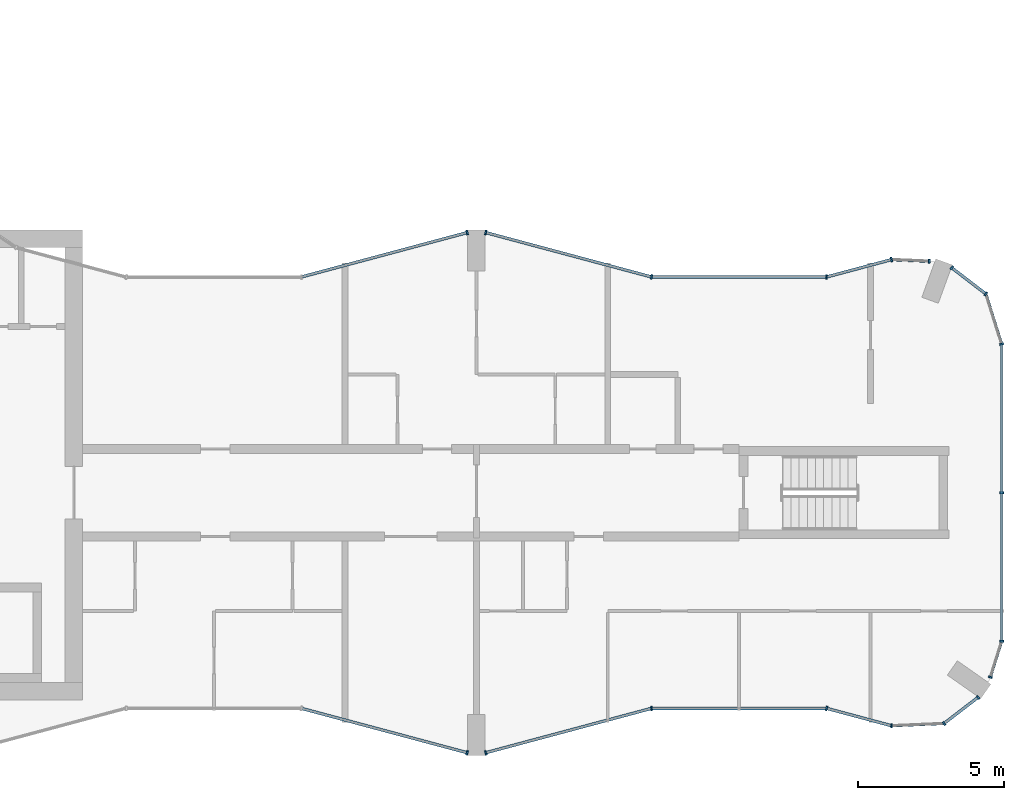
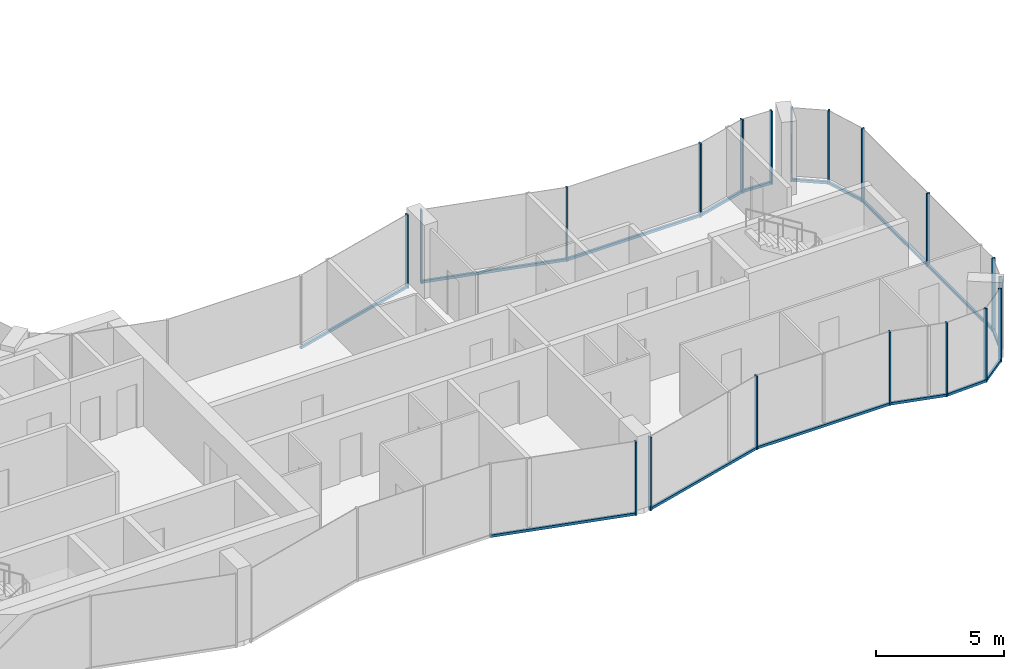
# One storey, part 6 of 15: 34 members, 15 elements without a shape of their own.
"""IFC4 building model written with IfcOpenShell, lengths in metres."""

from ifc_helpers import new_model, si_unit, direction, frame, origin, origin_2d, place, context, subcontext, project, spatial, rectangle, extrude, material, layer, layer_set, material_profile, profile_set, type_object, element, aggregate, save


model = new_model("IFC4")

# Units and contexts
model_context = context("Model", 3, precision=1e-05, world=origin(), true_north=direction((0.0, 1.0)))
body_context = subcontext(model_context, "Body", "Model", "MODEL_VIEW")
ifc_project = project(units=[si_unit("LENGTHUNIT", "METRE"), si_unit("AREAUNIT", "SQUARE_METRE"), si_unit("VOLUMEUNIT", "CUBIC_METRE"), si_unit("PLANEANGLEUNIT", "RADIAN"), si_unit("MASSUNIT", "GRAM", prefix="KILO")], contexts=[model_context])

# Site, building, storey
site_placement = place(None, origin())
site = spatial("IfcSite", under=ifc_project, at=site_placement, CompositionType="ELEMENT")
building_placement = place(site_placement, origin())
building = spatial("IfcBuilding", under=site, at=building_placement, Name="Plateau Cross Towers", CompositionType="ELEMENT")
storey_placement = place(building_placement, frame((0.0, 0.0, 156.89990234375)))
storey = spatial("IfcBuildingStorey", under=building, at=storey_placement, Name="L40", CompositionType="ELEMENT", Elevation=156.89990234375)

# Curtain wall, member
ifc_material_1 = material(Name="Dark low-iron glass", Category="glass")
ifc_layer_1 = layer(ifc_material_1, 0.239990234375)
ifc_layer_set_1 = layer_set([ifc_layer_1], Name="Dark low-iron glass")
curtain_wall_type_1 = type_object("IfcCurtainWallType", Name="Curtain wall flush unitised CW-B", PredefinedType="NOTDEFINED", material=ifc_layer_set_1)
curtain_wall_1_placement = place(storey_placement, origin())
curtain_wall_1 = element("IfcCurtainWall", 1, at=curtain_wall_1_placement, inside=storey, type_object=curtain_wall_type_1, Name="ENV/A/L40/A502_10", PredefinedType="NOTDEFINED")
ifc_material_2 = material(Name="Black anodised aluminium", Category="aluminium")
ifc_material_profile_1 = material_profile(ifc_material_2, rectangle(XDim=0.06005859375, YDim=0.139892578125, at=origin_2d()), Name="MULLION 60x140")
ifc_profile_set_1 = profile_set([ifc_material_profile_1], Name="Black anodised aluminium")
member_type_1 = type_object("IfcMemberType", Name="Mullion 60x140 flush unitised", PredefinedType="MULLION", material=ifc_profile_set_1)
member_1_placement = place(storey_placement, frame((50.223876953125, 1.01123046875, -0.25), z_axis=(0.0, 0.0, 1.0), x_axis=(0.999043701491, 0.043722791671, 0.0)))
member_1 = element("IfcMember", 2, at=member_1_placement, type_object=member_type_1, Name="CW-B mullion 1", PredefinedType="MULLION", context=body_context, shape_type="SweptSolid", body=[
    extrude(rectangle(XDim=0.06005859375, YDim=0.139892578125, at=origin_2d()), origin(), (0.0, 0.0, 1.0), 3.5),
])

# Curtain wall, members
curtain_wall_2_placement = place(storey_placement, origin())
curtain_wall_2 = element("IfcCurtainWall", 3, at=curtain_wall_2_placement, inside=storey, type_object=curtain_wall_type_1, Name="ENV/A/L40/A520_11", PredefinedType="NOTDEFINED")
member_2_placement = place(storey_placement, frame((52.0263671875, 1.090087890625, -0.25), z_axis=(0.0, 0.0, 1.0), x_axis=(0.793315514529, 0.608810721331, 0.0)))
member_2 = element("IfcMember", 4, at=member_2_placement, type_object=member_type_1, Name="CW-B mullion 1", PredefinedType="MULLION", context=body_context, shape_type="SweptSolid", body=[
    extrude(rectangle(XDim=0.06005859375, YDim=0.139892578125, at=origin_2d()), origin(), (0.0, 0.0, 1.0), 3.5),
])
member_3_placement = place(storey_placement, frame((53.193603515625, 1.986083984375, -0.25), z_axis=(0.0, 0.0, 1.0), x_axis=(0.793315514529, 0.608810721331, 0.0)))
member_3 = element("IfcMember", 5, at=member_3_placement, type_object=member_type_1, Name="CW-B mullion 2", PredefinedType="MULLION", context=body_context, shape_type="SweptSolid", body=[
    extrude(rectangle(XDim=0.06005859375, YDim=0.139892578125, at=origin_2d()), origin(), (0.0, 0.0, 1.0), 3.5),
])

# Curtain wall, member
curtain_wall_3_placement = place(storey_placement, origin())
curtain_wall_3 = element("IfcCurtainWall", 6, at=curtain_wall_3_placement, inside=storey, type_object=curtain_wall_type_1, Name="ENV/A/L40/A536_27", PredefinedType="NOTDEFINED")
member_4_placement = place(storey_placement, frame((53.611083984375, 2.67529296875, -0.25), z_axis=(0.0, 0.0, 1.0), x_axis=(0.300686174994, 0.95372313811, 0.0)))
member_4 = element("IfcMember", 7, at=member_4_placement, type_object=member_type_1, Name="CW-B mullion 1", PredefinedType="MULLION", context=body_context, shape_type="SweptSolid", body=[
    extrude(rectangle(XDim=0.06005859375, YDim=0.139892578125, at=origin_2d()), origin(), (0.0, 0.0, 1.0), 3.5),
])

# Curtain wall, members
curtain_wall_4_placement = place(storey_placement, origin())
curtain_wall_4 = element("IfcCurtainWall", 8, at=curtain_wall_4_placement, inside=storey, type_object=curtain_wall_type_1, Name="ENV/A/L40/A540_39", PredefinedType="NOTDEFINED")
member_5_placement = place(storey_placement, frame((54.0, 3.9091796875, -0.25), z_axis=(0.0, 0.0, 1.0), x_axis=(0.0, 1.0, 0.0)))
member_5 = element("IfcMember", 9, at=member_5_placement, type_object=member_type_1, Name="CW-B mullion 1", PredefinedType="MULLION", context=body_context, shape_type="SweptSolid", body=[
    extrude(rectangle(XDim=0.06005859375, YDim=0.139892578125, at=origin_2d()), origin(), (0.0, 0.0, 1.0), 3.5),
])
member_6_placement = place(storey_placement, frame((54.0, 9.0, -0.25), z_axis=(0.0, 0.0, 1.0), x_axis=(0.0, 1.0, 0.0)))
member_6 = element("IfcMember", 10, at=member_6_placement, type_object=member_type_1, Name="CW-B mullion 2", PredefinedType="MULLION", context=body_context, shape_type="SweptSolid", body=[
    extrude(rectangle(XDim=0.06005859375, YDim=0.139892578125, at=origin_2d()), origin(), (0.0, 0.0, 1.0), 3.5),
])

# Curtain wall, member
curtain_wall_5_placement = place(storey_placement, origin())
curtain_wall_5 = element("IfcCurtainWall", 11, at=curtain_wall_5_placement, inside=storey, type_object=curtain_wall_type_1, Name="ENV/A/L40/A540_141", PredefinedType="NOTDEFINED")
member_7_placement = place(storey_placement, frame((54.0, 14.0908203125, -0.25), z_axis=(0.0, 0.0, 1.0), x_axis=(-0.300686174994, 0.95372313811, 0.0)))
member_7 = element("IfcMember", 12, at=member_7_placement, type_object=member_type_1, Name="CW-B mullion 1", PredefinedType="MULLION", context=body_context, shape_type="SweptSolid", body=[
    extrude(rectangle(XDim=0.06005859375, YDim=0.139892578125, at=origin_2d()), origin(), (0.0, 0.0, 1.0), 3.5),
])

# Curtain wall, members
curtain_wall_6_placement = place(storey_placement, origin())
curtain_wall_6 = element("IfcCurtainWall", 13, at=curtain_wall_6_placement, inside=storey, type_object=curtain_wall_type_1, Name="ENV/A/L40/A535_158", PredefinedType="NOTDEFINED")
member_8_placement = place(storey_placement, frame((53.45751953125, 15.8115234375, -0.25), z_axis=(0.0, 0.0, 1.0), x_axis=(-0.793315514529, 0.608810721331, 0.0)))
member_8 = element("IfcMember", 14, at=member_8_placement, type_object=member_type_1, Name="CW-B mullion 1", PredefinedType="MULLION", context=body_context, shape_type="SweptSolid", body=[
    extrude(rectangle(XDim=0.06005859375, YDim=0.139892578125, at=origin_2d()), origin(), (0.0, 0.0, 1.0), 3.5),
])
member_9_placement = place(storey_placement, frame((52.290283203125, 16.707275390625, -0.25), z_axis=(0.0, 0.0, 1.0), x_axis=(-0.793315514529, 0.608810721331, 0.0)))
member_9 = element("IfcMember", 15, at=member_9_placement, type_object=member_type_1, Name="CW-B mullion 2", PredefinedType="MULLION", context=body_context, shape_type="SweptSolid", body=[
    extrude(rectangle(XDim=0.06005859375, YDim=0.139892578125, at=origin_2d()), origin(), (0.0, 0.0, 1.0), 3.5),
])

# Curtain wall, member
curtain_wall_7_placement = place(storey_placement, origin())
curtain_wall_7 = element("IfcCurtainWall", 16, at=curtain_wall_7_placement, inside=storey, type_object=curtain_wall_type_1, Name="ENV/A/L40/A515_169", PredefinedType="NOTDEFINED")
member_10_placement = place(storey_placement, frame((51.516357421875, 16.93212890625, -0.25), z_axis=(0.0, 0.0, 1.0), x_axis=(-0.999043701491, 0.043722791671, 0.0)))
member_10 = element("IfcMember", 17, at=member_10_placement, type_object=member_type_1, Name="CW-B mullion 1", PredefinedType="MULLION", context=body_context, shape_type="SweptSolid", body=[
    extrude(rectangle(XDim=0.06005859375, YDim=0.139892578125, at=origin_2d()), origin(), (0.0, 0.0, 1.0), 3.5),
])

ifc_layer_2 = layer(ifc_material_1, 0.260009765625)
ifc_layer_set_2 = layer_set([ifc_layer_2], Name="Dark low-iron glass")
curtain_wall_type_2 = type_object("IfcCurtainWallType", Name="Curtain wall fluted unitised CW-A", PredefinedType="NOTDEFINED", material=ifc_layer_set_2)
curtain_wall_8_placement = place(storey_placement, origin())
curtain_wall_8 = element("IfcCurtainWall", 18, at=curtain_wall_8_placement, inside=storey, type_object=curtain_wall_type_2, Name="ENV/A/L40/A300_16", PredefinedType="NOTDEFINED")
ifc_material_profile_2 = material_profile(ifc_material_2, rectangle(XDim=0.06005859375, YDim=0.159912109375, at=origin_2d()), Name="MULLION 60x160")
ifc_profile_set_2 = profile_set([ifc_material_profile_2], Name="Black anodised aluminium")
member_type_2 = type_object("IfcMemberType", Name="Mullion 60x160 fluted unitised", PredefinedType="MULLION", material=ifc_profile_set_2)
member_11_placement = place(storey_placement, frame((35.68212890625, 0.085205078125, -0.25), z_axis=(0.0, 0.0, 1.0), x_axis=(0.965957983404, -0.258699003279, 0.0)))
member_11 = element("IfcMember", 19, at=member_11_placement, type_object=member_type_2, Name="CW-A mullion 2", PredefinedType="MULLION", context=body_context, shape_type="SweptSolid", body=[
    extrude(rectangle(XDim=0.06005859375, YDim=0.159912109375, at=origin_2d()), origin(), (0.0, 0.0, 1.0), 3.5),
])

curtain_wall_9_placement = place(storey_placement, origin())
curtain_wall_9 = element("IfcCurtainWall", 20, at=curtain_wall_9_placement, inside=storey, type_object=curtain_wall_type_2, Name="ENV/A/L40/A363_1", PredefinedType="NOTDEFINED")
member_12_placement = place(storey_placement, frame((36.31787109375, 0.085205078125, -0.25), z_axis=(0.0, 0.0, 1.0), x_axis=(0.965957983404, 0.258699003279, 0.0)))
member_12 = element("IfcMember", 21, at=member_12_placement, type_object=member_type_2, Name="CW-A mullion 1", PredefinedType="MULLION", context=body_context, shape_type="SweptSolid", body=[
    extrude(rectangle(XDim=0.06005859375, YDim=0.159912109375, at=origin_2d()), origin(), (0.0, 0.0, 1.0), 3.5),
])

curtain_wall_10_placement = place(storey_placement, origin())
curtain_wall_10 = element("IfcCurtainWall", 22, at=curtain_wall_10_placement, inside=storey, type_object=curtain_wall_type_2, Name="ENV/A/L40/A420_16", PredefinedType="NOTDEFINED")
member_13_placement = place(storey_placement, frame((42.0, 1.60693359375, -0.25), z_axis=(0.0, 0.0, 1.0), x_axis=(1.0, 0.0, 0.0)))
member_13 = element("IfcMember", 23, at=member_13_placement, type_object=member_type_2, Name="CW-A mullion 1", PredefinedType="MULLION", context=body_context, shape_type="SweptSolid", body=[
    extrude(rectangle(XDim=0.06005859375, YDim=0.159912109375, at=origin_2d()), origin(), (0.0, 0.0, 1.0), 3.5),
])

curtain_wall_11_placement = place(storey_placement, origin())
curtain_wall_11 = element("IfcCurtainWall", 24, at=curtain_wall_11_placement, inside=storey, type_object=curtain_wall_type_2, Name="ENV/A/L40/A480_16", PredefinedType="NOTDEFINED")
member_14_placement = place(storey_placement, frame((48.0, 1.60693359375, -0.25), z_axis=(0.0, 0.0, 1.0), x_axis=(0.965957962328, -0.258699081978, 0.0)))
member_14 = element("IfcMember", 25, at=member_14_placement, type_object=member_type_2, Name="CW-A mullion 1", PredefinedType="MULLION", context=body_context, shape_type="SweptSolid", body=[
    extrude(rectangle(XDim=0.06005859375, YDim=0.159912109375, at=origin_2d()), origin(), (0.0, 0.0, 1.0), 3.5),
])

curtain_wall_12_placement = place(storey_placement, origin())
curtain_wall_12 = element("IfcCurtainWall", 26, at=curtain_wall_12_placement, inside=storey, type_object=curtain_wall_type_2, Name="ENV/A/L40/A502_170", PredefinedType="NOTDEFINED")
member_15_placement = place(storey_placement, frame((50.223876953125, 16.98876953125, -0.25), z_axis=(0.0, 0.0, 1.0), x_axis=(-0.965957962328, -0.258699081978, 0.0)))
member_15 = element("IfcMember", 27, at=member_15_placement, type_object=member_type_2, Name="CW-A mullion 1", PredefinedType="MULLION", context=body_context, shape_type="SweptSolid", body=[
    extrude(rectangle(XDim=0.06005859375, YDim=0.159912109375, at=origin_2d()), origin(), (0.0, 0.0, 1.0), 3.5),
])

curtain_wall_13_placement = place(storey_placement, origin())
curtain_wall_13 = element("IfcCurtainWall", 28, at=curtain_wall_13_placement, inside=storey, type_object=curtain_wall_type_2, Name="ENV/A/L40/A480_164", PredefinedType="NOTDEFINED")
member_16_placement = place(storey_placement, frame((48.0, 16.39306640625, -0.25), z_axis=(0.0, 0.0, 1.0), x_axis=(-1.0, 0.0, 0.0)))
member_16 = element("IfcMember", 29, at=member_16_placement, type_object=member_type_2, Name="CW-A mullion 1", PredefinedType="MULLION", context=body_context, shape_type="SweptSolid", body=[
    extrude(rectangle(XDim=0.06005859375, YDim=0.159912109375, at=origin_2d()), origin(), (0.0, 0.0, 1.0), 3.5),
])

# Curtain wall, members
curtain_wall_14_placement = place(storey_placement, origin())
curtain_wall_14 = element("IfcCurtainWall", 30, at=curtain_wall_14_placement, inside=storey, type_object=curtain_wall_type_2, Name="ENV/A/L40/A420_164", PredefinedType="NOTDEFINED")
member_17_placement = place(storey_placement, frame((42.0, 16.39306640625, -0.25), z_axis=(0.0, 0.0, 1.0), x_axis=(-0.965957983404, 0.258699003279, 0.0)))
member_17 = element("IfcMember", 31, at=member_17_placement, type_object=member_type_2, Name="CW-A mullion 1", PredefinedType="MULLION", context=body_context, shape_type="SweptSolid", body=[
    extrude(rectangle(XDim=0.06005859375, YDim=0.159912109375, at=origin_2d()), origin(), (0.0, 0.0, 1.0), 3.5),
])
member_18_placement = place(storey_placement, frame((36.31787109375, 17.914794921875, -0.25), z_axis=(0.0, 0.0, 1.0), x_axis=(-0.965957983404, 0.258699003279, 0.0)))
member_18 = element("IfcMember", 32, at=member_18_placement, type_object=member_type_2, Name="CW-A mullion 2", PredefinedType="MULLION", context=body_context, shape_type="SweptSolid", body=[
    extrude(rectangle(XDim=0.06005859375, YDim=0.159912109375, at=origin_2d()), origin(), (0.0, 0.0, 1.0), 3.5),
])

# Curtain wall, member
curtain_wall_15_placement = place(storey_placement, origin())
curtain_wall_15 = element("IfcCurtainWall", 33, at=curtain_wall_15_placement, inside=storey, type_object=curtain_wall_type_2, Name="ENV/A/L40/A357_179", PredefinedType="NOTDEFINED")
member_19_placement = place(storey_placement, frame((35.68212890625, 17.914794921875, -0.25), z_axis=(0.0, 0.0, 1.0), x_axis=(-0.965957983404, -0.258699003279, 0.0)))
member_19 = element("IfcMember", 34, at=member_19_placement, type_object=member_type_2, Name="CW-A mullion 1", PredefinedType="MULLION", context=body_context, shape_type="SweptSolid", body=[
    extrude(rectangle(XDim=0.06005859375, YDim=0.159912109375, at=origin_2d()), origin(), (0.0, 0.0, 1.0), 3.5),
])

# Member
ifc_material_profile_3 = material_profile(ifc_material_2, rectangle(XDim=0.10009765625, YDim=0.1201171875, at=origin_2d()), Name="TRANSOM 100x120")
ifc_profile_set_3 = profile_set([ifc_material_profile_3], Name="Black anodised aluminium")
member_type_3 = type_object("IfcMemberType", Name="Transom 100x120 flush unitised", PredefinedType="USERDEFINED", material=ifc_profile_set_3)
member_20_placement = place(storey_placement, frame((50.223876953125, 1.01123046875, -0.18994140625), z_axis=(0.999044377355, 0.043707345779, 0.0), x_axis=(-0.043707345779, 0.999044377355, 0.0)))
member_20 = element("IfcMember", 35, at=member_20_placement, type_object=member_type_3, Name="CW-B transom", ObjectType="TRANSOM", PredefinedType="USERDEFINED", context=body_context, shape_type="SweptSolid", body=[
    extrude(rectangle(XDim=0.10009765625, YDim=0.1201171875, at=origin_2d()), origin(), (0.0, 0.0, 1.0), 1.80419921875),
])

aggregate(curtain_wall_1, [member_1, member_20])

member_21_placement = place(storey_placement, frame((52.0263671875, 1.090087890625, -0.18994140625), z_axis=(0.793240368515, 0.608908628415, 0.0), x_axis=(-0.608908628415, 0.793240368515, 0.0)))
member_21 = element("IfcMember", 36, at=member_21_placement, type_object=member_type_3, Name="CW-B transom", ObjectType="TRANSOM", PredefinedType="USERDEFINED", context=body_context, shape_type="SweptSolid", body=[
    extrude(rectangle(XDim=0.10009765625, YDim=0.1201171875, at=origin_2d()), origin(), (0.0, 0.0, 1.0), 1.471435546875),
])

aggregate(curtain_wall_2, [member_2, member_3, member_21])

member_22_placement = place(storey_placement, frame((53.611083984375, 2.67529296875, -0.18994140625), z_axis=(0.300616528216, 0.953745093284, 0.0), x_axis=(-0.953745093284, 0.300616528216, 0.0)))
member_22 = element("IfcMember", 37, at=member_22_placement, type_object=member_type_3, Name="CW-B transom", ObjectType="TRANSOM", PredefinedType="USERDEFINED", context=body_context, shape_type="SweptSolid", body=[
    extrude(rectangle(XDim=0.10009765625, YDim=0.1201171875, at=origin_2d()), origin(), (0.0, 0.0, 1.0), 1.293701171875),
])

aggregate(curtain_wall_3, [member_4, member_22])

member_23_placement = place(storey_placement, frame((54.0, 3.9091796875, -0.18994140625), z_axis=(0.0, 1.0, 0.0), x_axis=(-1.0, 0.0, 0.0)))
member_23 = element("IfcMember", 38, at=member_23_placement, type_object=member_type_3, Name="CW-B transom", ObjectType="TRANSOM", PredefinedType="USERDEFINED", context=body_context, shape_type="SweptSolid", body=[
    extrude(rectangle(XDim=0.10009765625, YDim=0.1201171875, at=origin_2d()), origin(), (0.0, 0.0, 1.0), 10.181640625),
])

aggregate(curtain_wall_4, [member_5, member_6, member_23])

member_24_placement = place(storey_placement, frame((54.0, 14.0908203125, -0.18994140625), z_axis=(-0.30067799945, 0.953725715626, 0.0), x_axis=(-0.953725715626, -0.30067799945, 0.0)))
member_24 = element("IfcMember", 39, at=member_24_placement, type_object=member_type_3, Name="CW-B transom", ObjectType="TRANSOM", PredefinedType="USERDEFINED", context=body_context, shape_type="SweptSolid", body=[
    extrude(rectangle(XDim=0.10009765625, YDim=0.1201171875, at=origin_2d()), origin(), (0.0, 0.0, 1.0), 1.80419921875),
])

aggregate(curtain_wall_5, [member_7, member_24])

member_25_placement = place(storey_placement, frame((53.45751953125, 15.8115234375, -0.18994140625), z_axis=(-0.793320508571, 0.608804213751, 0.0), x_axis=(-0.608804213751, -0.793320508571, 0.0)))
member_25 = element("IfcMember", 40, at=member_25_placement, type_object=member_type_3, Name="CW-B transom", ObjectType="TRANSOM", PredefinedType="USERDEFINED", context=body_context, shape_type="SweptSolid", body=[
    extrude(rectangle(XDim=0.10009765625, YDim=0.1201171875, at=origin_2d()), origin(), (0.0, 0.0, 1.0), 1.471435546875),
])

aggregate(curtain_wall_6, [member_8, member_9, member_25])

member_26_placement = place(storey_placement, frame((51.516357421875, 16.93212890625, -0.18994140625), z_axis=(-0.999041144614, 0.043781175963, 0.0), x_axis=(-0.043781175963, -0.999041144614, 0.0)))
member_26 = element("IfcMember", 41, at=member_26_placement, type_object=member_type_3, Name="CW-B transom", ObjectType="TRANSOM", PredefinedType="USERDEFINED", context=body_context, shape_type="SweptSolid", body=[
    extrude(rectangle(XDim=0.10009765625, YDim=0.1201171875, at=origin_2d()), origin(), (0.0, 0.0, 1.0), 1.293701171875),
])

aggregate(curtain_wall_7, [member_10, member_26])

ifc_material_profile_4 = material_profile(ifc_material_2, rectangle(XDim=0.10009765625, YDim=0.1201171875, at=origin_2d()), Name="TRANSOM 100x120")
ifc_profile_set_4 = profile_set([ifc_material_profile_4], Name="Black anodised aluminium")
member_type_4 = type_object("IfcMemberType", Name="Transom 100x120 fluted unitised", PredefinedType="USERDEFINED", material=ifc_profile_set_4)
member_27_placement = place(storey_placement, frame((30.0, 1.60693359375, -0.18994140625), z_axis=(0.965959534794, -0.258693210465, 0.0), x_axis=(0.258693210465, 0.965959534794, 0.0)))
member_27 = element("IfcMember", 42, at=member_27_placement, type_object=member_type_4, Name="CW-A transom", ObjectType="TRANSOM", PredefinedType="USERDEFINED", context=body_context, shape_type="SweptSolid", body=[
    extrude(rectangle(XDim=0.10009765625, YDim=0.1201171875, at=origin_2d()), origin(), (0.0, 0.0, 1.0), 5.88232421875),
])

aggregate(curtain_wall_8, [member_11, member_27])

member_28_placement = place(storey_placement, frame((36.31787109375, 0.085205078125, -0.18994140625), z_axis=(0.965959534794, 0.258693210465, 0.0), x_axis=(-0.258693210465, 0.965959534794, 0.0)))
member_28 = element("IfcMember", 43, at=member_28_placement, type_object=member_type_4, Name="CW-A transom", ObjectType="TRANSOM", PredefinedType="USERDEFINED", context=body_context, shape_type="SweptSolid", body=[
    extrude(rectangle(XDim=0.10009765625, YDim=0.1201171875, at=origin_2d()), origin(), (0.0, 0.0, 1.0), 5.88232421875),
])

aggregate(curtain_wall_9, [member_12, member_28])

member_29_placement = place(storey_placement, frame((42.0, 1.60693359375, -0.18994140625), z_axis=(1.0, 0.0, 0.0), x_axis=(0.0, 1.0, 0.0)))
member_29 = element("IfcMember", 44, at=member_29_placement, type_object=member_type_4, Name="CW-A transom", ObjectType="TRANSOM", PredefinedType="USERDEFINED", context=body_context, shape_type="SweptSolid", body=[
    extrude(rectangle(XDim=0.10009765625, YDim=0.1201171875, at=origin_2d()), origin(), (0.0, 0.0, 1.0), 6.0),
])

aggregate(curtain_wall_10, [member_13, member_29])

member_30_placement = place(storey_placement, frame((48.0, 1.60693359375, -0.18994140625), z_axis=(0.965945685136, -0.258744919501, 0.0), x_axis=(0.258744919501, 0.965945685136, 0.0)))
member_30 = element("IfcMember", 45, at=member_30_placement, type_object=member_type_4, Name="CW-A transom", ObjectType="TRANSOM", PredefinedType="USERDEFINED", context=body_context, shape_type="SweptSolid", body=[
    extrude(rectangle(XDim=0.10009765625, YDim=0.1201171875, at=origin_2d()), origin(), (0.0, 0.0, 1.0), 2.30224609375),
])

aggregate(curtain_wall_11, [member_14, member_30])

member_31_placement = place(storey_placement, frame((50.223876953125, 16.98876953125, -0.18994140625), z_axis=(-0.965945685136, -0.258744919501, 0.0), x_axis=(0.258744919501, -0.965945685136, 0.0)))
member_31 = element("IfcMember", 46, at=member_31_placement, type_object=member_type_4, Name="CW-A transom", ObjectType="TRANSOM", PredefinedType="USERDEFINED", context=body_context, shape_type="SweptSolid", body=[
    extrude(rectangle(XDim=0.10009765625, YDim=0.1201171875, at=origin_2d()), origin(), (0.0, 0.0, 1.0), 2.30224609375),
])

aggregate(curtain_wall_12, [member_15, member_31])

member_32_placement = place(storey_placement, frame((48.0, 16.39306640625, -0.18994140625), z_axis=(-1.0, 0.0, 0.0), x_axis=(0.0, -1.0, 0.0)))
member_32 = element("IfcMember", 47, at=member_32_placement, type_object=member_type_4, Name="CW-A transom", ObjectType="TRANSOM", PredefinedType="USERDEFINED", context=body_context, shape_type="SweptSolid", body=[
    extrude(rectangle(XDim=0.10009765625, YDim=0.1201171875, at=origin_2d()), origin(), (0.0, 0.0, 1.0), 6.0),
])

aggregate(curtain_wall_13, [member_16, member_32])

member_33_placement = place(storey_placement, frame((42.0, 16.39306640625, -0.18994140625), z_axis=(-0.965959534794, 0.258693210465, 0.0), x_axis=(-0.258693210465, -0.965959534794, 0.0)))
member_33 = element("IfcMember", 48, at=member_33_placement, type_object=member_type_4, Name="CW-A transom", ObjectType="TRANSOM", PredefinedType="USERDEFINED", context=body_context, shape_type="SweptSolid", body=[
    extrude(rectangle(XDim=0.10009765625, YDim=0.1201171875, at=origin_2d()), origin(), (0.0, 0.0, 1.0), 5.88232421875),
])

aggregate(curtain_wall_14, [member_17, member_18, member_33])

member_34_placement = place(storey_placement, frame((35.68212890625, 17.914794921875, -0.18994140625), z_axis=(-0.965959534794, -0.258693210465, 0.0), x_axis=(0.258693210465, -0.965959534794, 0.0)))
member_34 = element("IfcMember", 49, at=member_34_placement, type_object=member_type_4, Name="CW-A transom", ObjectType="TRANSOM", PredefinedType="USERDEFINED", context=body_context, shape_type="SweptSolid", body=[
    extrude(rectangle(XDim=0.10009765625, YDim=0.1201171875, at=origin_2d()), origin(), (0.0, 0.0, 1.0), 5.88232421875),
])

aggregate(curtain_wall_15, [member_19, member_34])

save(model, "model.ifc")
